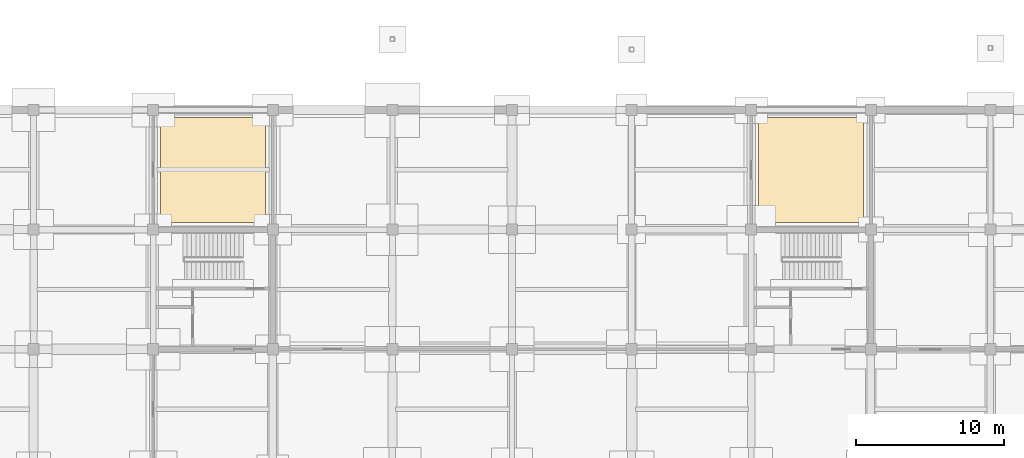
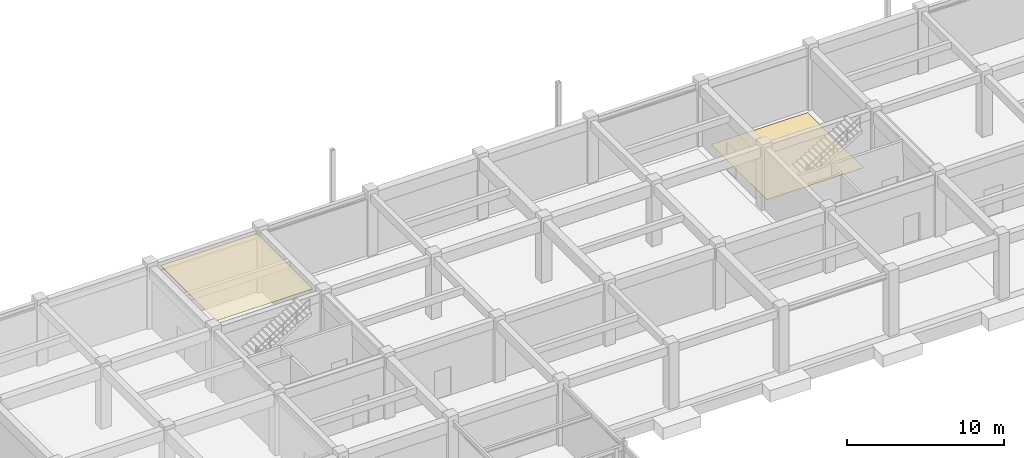
# One storey, part 67 of 67: 2 coverings.
"""IFC4 building model written with IfcOpenShell, lengths in metres."""

from ifc_helpers import new_model, si_unit, direction, frame, origin, place, context, subcontext, project, spatial, polyline, outline, extrude, material, layer, layer_set, type_object, element, save


model = new_model("IFC4")

# Units and contexts
model_context = context("Model", 3, precision=1e-05, world=origin(), true_north=direction((0.0, 1.0)))
body_context = subcontext(model_context, "Body", "Model", "MODEL_VIEW")
ifc_project = project(units=[si_unit("LENGTHUNIT", "METRE"), si_unit("AREAUNIT", "SQUARE_METRE"), si_unit("VOLUMEUNIT", "CUBIC_METRE"), si_unit("PLANEANGLEUNIT", "RADIAN"), si_unit("MASSUNIT", "GRAM", prefix="KILO")], contexts=[model_context])

# Site, building, storey
site_placement = place(None, origin())
site = spatial("IfcSite", under=ifc_project, at=site_placement, CompositionType="ELEMENT")
building_placement = place(site_placement, origin())
building = spatial("IfcBuilding", under=site, at=building_placement, Name="Vaudrelin Polytechnic", CompositionType="ELEMENT")
storey_placement = place(building_placement, frame((0.0, 0.0, -5.10009765625)))
storey = spatial("IfcBuildingStorey", under=building, at=storey_placement, Name="B1", CompositionType="ELEMENT", Elevation=-5.10009765625)

# Coverings
ifc_material_1 = material(Name="Mineral-fibre acoustic ceiling tile NRC 0.85", Category="ceiling")
ifc_layer_1 = layer(ifc_material_1, 0.02490234375)
ifc_layer_set_1 = layer_set([ifc_layer_1], Name="Mineral-fibre acoustic ceiling tile NRC 0.85")
covering_type_1 = type_object("IfcCoveringType", Name="COV-CLG-ACT", PredefinedType="CEILING", material=ifc_layer_set_1)
covering_1_placement = place(storey_placement, frame((0.0, 0.0, 4.755126953125)))
element("IfcCovering", 1, at=covering_1_placement, inside=storey, type_object=covering_type_1, Name="Acoustic ceiling B1-033", PredefinedType="CEILING", context=body_context, shape_type="SweptSolid", body=[
    extrude(outline(polyline([(16.699951171875, 113.89990234375), (23.800048828125, 113.89990234375), (23.800048828125, 121.0), (16.699951171875, 121.0), (16.699951171875, 113.89990234375)])), origin(), (0.0, 0.0, 1.0), 0.02490234375),
])
ifc_material_2 = material(Name="Seamless chemical-resistant laboratory epoxy", Category="flooring")
ifc_layer_2 = layer(ifc_material_2, 0.011962890625)
ifc_layer_set_2 = layer_set([ifc_layer_2], Name="Seamless chemical-resistant laboratory epoxy")
covering_type_2 = type_object("IfcCoveringType", Name="COV-FLR-EPX", PredefinedType="FLOORING", material=ifc_layer_set_2)
covering_2_placement = place(storey_placement, origin())
element("IfcCovering", 2, at=covering_2_placement, inside=storey, type_object=covering_type_2, Name="Chemical-resistant flooring B1-034", PredefinedType="FLOORING", context=body_context, shape_type="SweptSolid", body=[
    extrude(outline(polyline([(57.199951171875, 113.89990234375), (64.300048828125, 113.89990234375), (64.300048828125, 121.0), (57.199951171875, 121.0), (57.199951171875, 113.89990234375)])), origin(), (0.0, 0.0, 1.0), 0.01220703125),
])

save(model, "model.ifc")
